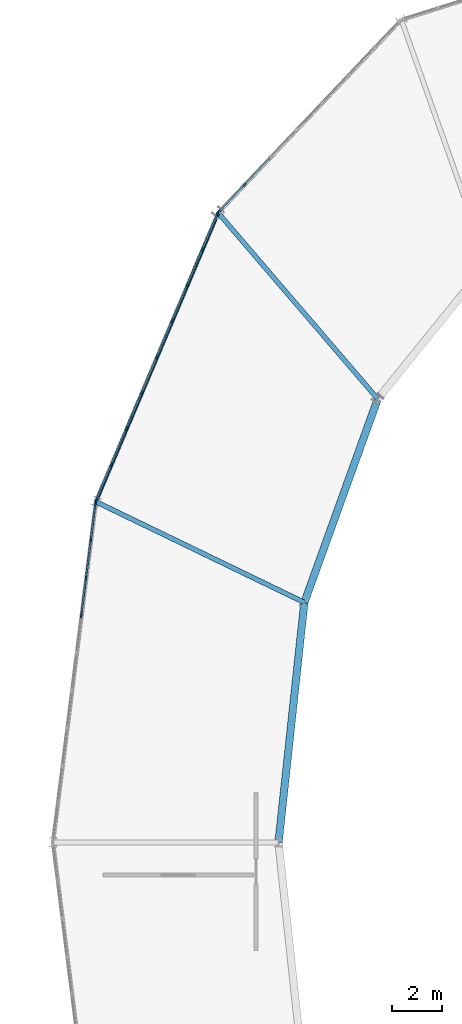
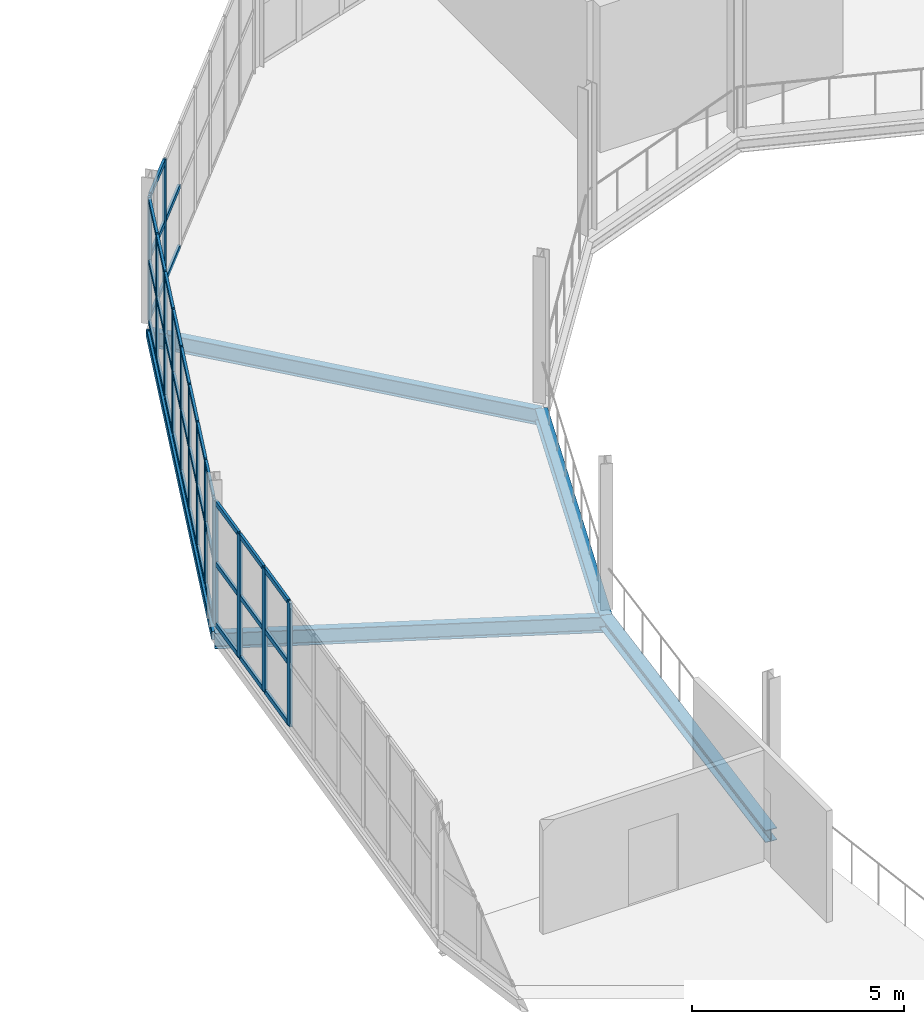
# One storey, part 88 of 161: 53 members, 5 beams, 3 elements without a shape of their own.
"""IFC4 building model written with IfcOpenShell, lengths in metres."""

from ifc_helpers import new_model, si_unit, direction, frame, origin, origin_2d, place, context, subcontext, project, spatial, rectangle, hollow_rectangle, i_section, extrude, material, material_profile, profile_set, type_object, element, aggregate, save


model = new_model("IFC4")

# Units and contexts
model_context = context("Model", 3, precision=1e-05, world=origin(), true_north=direction((0.0, 1.0)))
body_context = subcontext(model_context, "Body", "Model", "MODEL_VIEW")
ifc_project = project(units=[si_unit("LENGTHUNIT", "METRE"), si_unit("AREAUNIT", "SQUARE_METRE"), si_unit("VOLUMEUNIT", "CUBIC_METRE"), si_unit("PLANEANGLEUNIT", "RADIAN"), si_unit("MASSUNIT", "GRAM", prefix="KILO")], contexts=[model_context])

# Site, building, storey
site_placement = place(None, origin())
site = spatial("IfcSite", under=ifc_project, at=site_placement, CompositionType="ELEMENT")
building_placement = place(site_placement, origin())
building = spatial("IfcBuilding", under=site, at=building_placement, Name="Kildeholm Park Wholesale Market", CompositionType="ELEMENT")
storey_placement = place(building_placement, frame((0.0, 0.0, 5.39990234375)))
storey = spatial("IfcBuildingStorey", under=building, at=storey_placement, Name="L01", CompositionType="ELEMENT", Elevation=5.39990234375)

# Beams
ifc_material_1 = material(Name="Steel S355", Category="steel")
ifc_material_profile_1 = material_profile(ifc_material_1, i_section(OverallWidth=0.18994140625, OverallDepth=0.449951171875, WebThickness=0.009521484375, FlangeThickness=0.0146484375, FilletRadius=0.02099609375, at=origin_2d()), Name="IPE 450")
ifc_profile_set_1 = profile_set([ifc_material_profile_1], Name="Steel S355")
beam_type_1 = type_object("IfcBeamType", Name="Beam B-P02 IPE 450", PredefinedType="BEAM", material=ifc_profile_set_1)
beam_1_placement = place(storey_placement, frame((178.4541015625, 112.177978515625, -0.48486328125), z_axis=(-0.650822214859, 0.75923016579, 0.0), x_axis=(-0.75923016579, -0.650822214859, 0.0)))
element("IfcBeam", 1, at=beam_1_placement, inside=storey, type_object=beam_type_1, Name="Beam BM-V2-L01-R-06 BM-0403", PredefinedType="BEAM", context=body_context, shape_type="SweptSolid", body=[
    extrude(i_section(OverallWidth=0.18994140625, OverallDepth=0.449951171875, WebThickness=0.009521484375, FlangeThickness=0.0146484375, FilletRadius=0.02099609375, at=origin_2d()), origin(), (0.0, 0.0, 1.0), 9.7783203125),
])
beam_2_placement = place(storey_placement, frame((175.528076171875, 104.06689453125, -0.48486328125), z_axis=(-0.900388826514, 0.435086153639, 0.0), x_axis=(-0.435086153639, -0.900388826514, 0.0)))
element("IfcBeam", 2, at=beam_2_placement, inside=storey, type_object=beam_type_1, Name="Beam BM-V2-L01-R-07 BM-0410", PredefinedType="BEAM", context=body_context, shape_type="SweptSolid", body=[
    extrude(i_section(OverallWidth=0.18994140625, OverallDepth=0.449951171875, WebThickness=0.009521484375, FlangeThickness=0.0146484375, FilletRadius=0.02099609375, at=origin_2d()), origin(), (0.0, 0.0, 1.0), 9.235107421875),
])
ifc_material_profile_2 = material_profile(ifc_material_1, i_section(OverallWidth=0.300048828125, OverallDepth=0.35009765625, WebThickness=0.010009765625, FlangeThickness=0.017578125, FilletRadius=0.027099609375, at=origin_2d()), Name="HEA 360")
ifc_profile_set_2 = profile_set([ifc_material_profile_2], Name="Steel S355")
beam_type_2 = type_object("IfcBeamType", Name="Beam B-R01 HEA 360", PredefinedType="BEAM", material=ifc_profile_set_2)
beam_3_placement = place(storey_placement, frame((178.4541015625, 112.177978515625, -0.434814453125), z_axis=(-0.339339006409, -0.940664147679, 0.0), x_axis=(0.940664147679, -0.339339006409, 0.0)))
element("IfcBeam", 3, at=beam_3_placement, inside=storey, type_object=beam_type_2, Name="Beam BM-V2-L01-CI-06 BM-0405", PredefinedType="BEAM", context=body_context, shape_type="SweptSolid", body=[
    extrude(i_section(OverallWidth=0.300048828125, OverallDepth=0.35009765625, WebThickness=0.010009765625, FlangeThickness=0.017578125, FilletRadius=0.027099609375, at=origin_2d()), origin(), (0.0, 0.0, 1.0), 8.622802734375),
])
beam_4_placement = place(storey_placement, frame((175.528076171875, 104.06689453125, -0.434814453125), z_axis=(-0.106846684142, -0.99427550814, 0.0), x_axis=(0.99427550814, -0.106846684142, 0.0)))
element("IfcBeam", 4, at=beam_4_placement, inside=storey, type_object=beam_type_2, Name="Beam BM-V2-L01-CI-07 BM-0412", PredefinedType="BEAM", context=body_context, shape_type="SweptSolid", body=[
    extrude(i_section(OverallWidth=0.300048828125, OverallDepth=0.35009765625, WebThickness=0.010009765625, FlangeThickness=0.017578125, FilletRadius=0.027099609375, at=origin_2d()), origin(), (0.0, 0.0, 1.0), 9.6220703125),
])
ifc_material_profile_3 = material_profile(ifc_material_1, hollow_rectangle(XDim=0.14990234375, YDim=0.25, WallThickness=0.010009765625, InnerFilletRadius=0.010009765625, OuterFilletRadius=0.02001953125, at=origin_2d()), Name="RHS 250x150x10")
ifc_profile_set_3 = profile_set([ifc_material_profile_3], Name="Steel S355")
beam_type_3 = type_object("IfcBeamType", Name="Beam SP-02 RHS 250x150x10", PredefinedType="SPANDREL", material=ifc_profile_set_3)
beam_5_placement = place(storey_placement, frame((172.090087890625, 119.60205078125, -0.385009765625), z_axis=(-0.389950720924, -0.920835726528, 0.0), x_axis=(0.920835726528, -0.389950720924, 0.0)))
element("IfcBeam", 5, at=beam_5_placement, inside=storey, type_object=beam_type_3, Name="Beam BM-V2-L01-CO-06 BM-0406", PredefinedType="SPANDREL", context=body_context, shape_type="SweptSolid", body=[
    extrude(hollow_rectangle(XDim=0.14990234375, YDim=0.25, WallThickness=0.010009765625, InnerFilletRadius=0.010009765625, OuterFilletRadius=0.02001953125, at=origin_2d()), origin(), (0.0, 0.0, 1.0), 12.50732421875),
])

# Curtain wall, members
ifc_material_2 = material(Name="Anodised aluminium and low-E double-glazed glass", Category="aluminium")
curtain_wall_type = type_object("IfcCurtainWallType", Name="Market hall glazed arcade stick curtain wall CW-01", PredefinedType="NOTDEFINED", material=ifc_material_2)
curtain_wall_1_placement = place(storey_placement, origin())
curtain_wall_1 = element("IfcCurtainWall", 6, at=curtain_wall_1_placement, inside=storey, type_object=curtain_wall_type, Name="Curtain wall CW-V2-L01-05 CW-0124", PredefinedType="NOTDEFINED")
ifc_material_3 = material(Name="Anodised aluminium", Category="aluminium")
ifc_material_profile_4 = material_profile(ifc_material_3, rectangle(XDim=0.06494140625, YDim=0.179931640625, at=origin_2d()), Name="CWM 65x180")
ifc_profile_set_4 = profile_set([ifc_material_profile_4], Name="Anodised aluminium")
member_type_1 = type_object("IfcMemberType", Name="Curtain-wall mullion CWM-1 CWM 65x180", PredefinedType="MULLION", material=ifc_profile_set_4)
member_1_placement = place(storey_placement, frame((173.14892578125, 120.730224609375, 0.0), z_axis=(0.0, 0.0, 1.0), x_axis=(0.725570701078, -0.688147627866, 0.0)))
member_1 = element("IfcMember", 7, at=member_1_placement, type_object=member_type_1, Name="CW-01 mullion 7 MEM-3803", PredefinedType="MULLION", context=body_context, shape_type="SweptSolid", body=[
    extrude(rectangle(XDim=0.06494140625, YDim=0.179931640625, at=origin_2d()), origin(), (0.0, 0.0, 1.0), 3.550048828125),
])
member_2_placement = place(storey_placement, frame((172.136474609375, 119.66259765625, 0.0), z_axis=(0.0, 0.0, 1.0), x_axis=(0.725570701078, -0.688147627866, 0.0)))
member_2 = element("IfcMember", 8, at=member_2_placement, type_object=member_type_1, Name="CW-01 mullion 8 MEM-3804", PredefinedType="MULLION", context=body_context, shape_type="SweptSolid", body=[
    extrude(rectangle(XDim=0.06494140625, YDim=0.179931640625, at=origin_2d()), origin(), (0.0, 0.0, 1.0), 3.550048828125),
])

curtain_wall_2_placement = place(storey_placement, origin())
curtain_wall_2 = element("IfcCurtainWall", 9, at=curtain_wall_2_placement, inside=storey, type_object=curtain_wall_type, Name="Curtain wall CW-V2-L01-06 CW-0125", PredefinedType="NOTDEFINED")
member_3_placement = place(storey_placement, frame((172.057373046875, 119.541015625, 0.0), z_axis=(0.0, 0.0, 1.0), x_axis=(0.920855054668, -0.389905076002, 0.0)))
member_3 = element("IfcMember", 10, at=member_3_placement, type_object=member_type_1, Name="CW-01 mullion 1 MEM-3826", PredefinedType="MULLION", context=body_context, shape_type="SweptSolid", body=[
    extrude(rectangle(XDim=0.06494140625, YDim=0.179931640625, at=origin_2d()), origin(), (0.0, 0.0, 1.0), 3.550048828125),
])
member_4_placement = place(storey_placement, frame((171.46435546875, 118.140380859375, 0.0), z_axis=(0.0, 0.0, 1.0), x_axis=(0.920855054668, -0.389905076002, 0.0)))
member_4 = element("IfcMember", 11, at=member_4_placement, type_object=member_type_1, Name="CW-01 mullion 2 MEM-3827", PredefinedType="MULLION", context=body_context, shape_type="SweptSolid", body=[
    extrude(rectangle(XDim=0.06494140625, YDim=0.179931640625, at=origin_2d()), origin(), (0.0, 0.0, 1.0), 3.550048828125),
])
member_5_placement = place(storey_placement, frame((170.8583984375, 116.709716796875, 0.0), z_axis=(0.0, 0.0, 1.0), x_axis=(0.920855054668, -0.389905076002, 0.0)))
member_5 = element("IfcMember", 12, at=member_5_placement, type_object=member_type_1, Name="CW-01 mullion 3 MEM-3828", PredefinedType="MULLION", context=body_context, shape_type="SweptSolid", body=[
    extrude(rectangle(XDim=0.06494140625, YDim=0.179931640625, at=origin_2d()), origin(), (0.0, 0.0, 1.0), 3.550048828125),
])
member_6_placement = place(storey_placement, frame((170.252685546875, 115.279052734375, 0.0), z_axis=(0.0, 0.0, 1.0), x_axis=(0.920855054668, -0.389905076002, 0.0)))
member_6 = element("IfcMember", 13, at=member_6_placement, type_object=member_type_1, Name="CW-01 mullion 4 MEM-3829", PredefinedType="MULLION", context=body_context, shape_type="SweptSolid", body=[
    extrude(rectangle(XDim=0.06494140625, YDim=0.179931640625, at=origin_2d()), origin(), (0.0, 0.0, 1.0), 3.550048828125),
])
member_7_placement = place(storey_placement, frame((169.64697265625, 113.848388671875, 0.0), z_axis=(0.0, 0.0, 1.0), x_axis=(0.920855054668, -0.389905076002, 0.0)))
member_7 = element("IfcMember", 14, at=member_7_placement, type_object=member_type_1, Name="CW-01 mullion 5 MEM-3830", PredefinedType="MULLION", context=body_context, shape_type="SweptSolid", body=[
    extrude(rectangle(XDim=0.06494140625, YDim=0.179931640625, at=origin_2d()), origin(), (0.0, 0.0, 1.0), 3.550048828125),
])
member_8_placement = place(storey_placement, frame((169.041259765625, 112.41796875, 0.0), z_axis=(0.0, 0.0, 1.0), x_axis=(0.920855054668, -0.389905076002, 0.0)))
member_8 = element("IfcMember", 15, at=member_8_placement, type_object=member_type_1, Name="CW-01 mullion 6 MEM-3831", PredefinedType="MULLION", context=body_context, shape_type="SweptSolid", body=[
    extrude(rectangle(XDim=0.06494140625, YDim=0.179931640625, at=origin_2d()), origin(), (0.0, 0.0, 1.0), 3.550048828125),
])
member_9_placement = place(storey_placement, frame((168.435546875, 110.9873046875, 0.0), z_axis=(0.0, 0.0, 1.0), x_axis=(0.920855054668, -0.389905076002, 0.0)))
member_9 = element("IfcMember", 16, at=member_9_placement, type_object=member_type_1, Name="CW-01 mullion 7 MEM-3832", PredefinedType="MULLION", context=body_context, shape_type="SweptSolid", body=[
    extrude(rectangle(XDim=0.06494140625, YDim=0.179931640625, at=origin_2d()), origin(), (0.0, 0.0, 1.0), 3.550048828125),
])
member_10_placement = place(storey_placement, frame((167.829833984375, 109.556640625, 0.0), z_axis=(0.0, 0.0, 1.0), x_axis=(0.920855054668, -0.389905076002, 0.0)))
member_10 = element("IfcMember", 17, at=member_10_placement, type_object=member_type_1, Name="CW-01 mullion 8 MEM-3833", PredefinedType="MULLION", context=body_context, shape_type="SweptSolid", body=[
    extrude(rectangle(XDim=0.06494140625, YDim=0.179931640625, at=origin_2d()), origin(), (0.0, 0.0, 1.0), 3.550048828125),
])
member_11_placement = place(storey_placement, frame((167.236572265625, 108.156005859375, 0.0), z_axis=(0.0, 0.0, 1.0), x_axis=(0.920855054668, -0.389905076002, 0.0)))
member_11 = element("IfcMember", 18, at=member_11_placement, type_object=member_type_1, Name="CW-01 mullion 9 MEM-3834", PredefinedType="MULLION", context=body_context, shape_type="SweptSolid", body=[
    extrude(rectangle(XDim=0.06494140625, YDim=0.179931640625, at=origin_2d()), origin(), (0.0, 0.0, 1.0), 3.550048828125),
])

curtain_wall_3_placement = place(storey_placement, origin())
curtain_wall_3 = element("IfcCurtainWall", 19, at=curtain_wall_3_placement, inside=storey, type_object=curtain_wall_type, Name="Curtain wall CW-V2-L01-07 CW-0126", PredefinedType="NOTDEFINED")
member_12_placement = place(storey_placement, frame((167.198974609375, 108.015869140625, 0.0), z_axis=(0.0, 0.0, 1.0), x_axis=(0.992145095497, -0.12509240377, 0.0)))
member_12 = element("IfcMember", 20, at=member_12_placement, type_object=member_type_1, Name="CW-01 mullion 1 MEM-3859", PredefinedType="MULLION", context=body_context, shape_type="SweptSolid", body=[
    extrude(rectangle(XDim=0.06494140625, YDim=0.179931640625, at=origin_2d()), origin(), (0.0, 0.0, 1.0), 3.550048828125),
])
member_13_placement = place(storey_placement, frame((167.013671875, 106.547119140625, 0.0), z_axis=(0.0, 0.0, 1.0), x_axis=(0.992145095497, -0.12509240377, 0.0)))
member_13 = element("IfcMember", 21, at=member_13_placement, type_object=member_type_1, Name="CW-01 mullion 2 MEM-3860", PredefinedType="MULLION", context=body_context, shape_type="SweptSolid", body=[
    extrude(rectangle(XDim=0.06494140625, YDim=0.179931640625, at=origin_2d()), origin(), (0.0, 0.0, 1.0), 3.550048828125),
])
member_14_placement = place(storey_placement, frame((166.824462890625, 105.04638671875, 0.0), z_axis=(0.0, 0.0, 1.0), x_axis=(0.992145095497, -0.12509240377, 0.0)))
member_14 = element("IfcMember", 22, at=member_14_placement, type_object=member_type_1, Name="CW-01 mullion 3 MEM-3861", PredefinedType="MULLION", context=body_context, shape_type="SweptSolid", body=[
    extrude(rectangle(XDim=0.06494140625, YDim=0.179931640625, at=origin_2d()), origin(), (0.0, 0.0, 1.0), 3.550048828125),
])
member_15_placement = place(storey_placement, frame((166.63525390625, 103.545654296875, 0.0), z_axis=(0.0, 0.0, 1.0), x_axis=(0.992145095497, -0.12509240377, 0.0)))
member_15 = element("IfcMember", 23, at=member_15_placement, type_object=member_type_1, Name="CW-01 mullion 4 MEM-3862", PredefinedType="MULLION", context=body_context, shape_type="SweptSolid", body=[
    extrude(rectangle(XDim=0.06494140625, YDim=0.179931640625, at=origin_2d()), origin(), (0.0, 0.0, 1.0), 3.550048828125),
])

# Member
ifc_material_profile_5 = material_profile(ifc_material_3, rectangle(XDim=0.06494140625, YDim=0.139892578125, at=origin_2d()), Name="CWT 65x140")
ifc_profile_set_5 = profile_set([ifc_material_profile_5], Name="Anodised aluminium")
member_type_2 = type_object("IfcMemberType", Name="Curtain-wall transom CWT-1 CWT 65x140", PredefinedType="USERDEFINED", material=ifc_profile_set_5)
member_16_placement = place(storey_placement, frame((174.16162109375, 121.798095703125, 0.03271484375), z_axis=(-0.688111604376, -0.72560486487, 0.0), x_axis=(0.72560486487, -0.688111604376, 0.0)))
member_16 = element("IfcMember", 24, at=member_16_placement, type_object=member_type_2, Name="CW-01 transom 6.1 MEM-3820", ObjectType="TRANSOM", PredefinedType="USERDEFINED", context=body_context, shape_type="SweptSolid", body=[
    extrude(rectangle(XDim=0.06494140625, YDim=0.139892578125, at=origin_2d()), origin(), (0.0, 0.0, 1.0), 1.43896484375),
])

member_17_placement = place(storey_placement, frame((174.16162109375, 121.798095703125, 1.775146484375), z_axis=(-0.688111604376, -0.72560486487, 0.0), x_axis=(0.72560486487, -0.688111604376, 0.0)))
member_17 = element("IfcMember", 25, at=member_17_placement, type_object=member_type_2, Name="CW-01 transom 6.2 MEM-3821", ObjectType="TRANSOM", PredefinedType="USERDEFINED", context=body_context, shape_type="SweptSolid", body=[
    extrude(rectangle(XDim=0.06494140625, YDim=0.139892578125, at=origin_2d()), origin(), (0.0, 0.0, 1.0), 1.43896484375),
])

member_18_placement = place(storey_placement, frame((173.126708984375, 120.706787109375, 0.03271484375), z_axis=(-0.688201872594, -0.725519250301, 0.0), x_axis=(0.725519250301, -0.688201872594, 0.0)))
member_18 = element("IfcMember", 26, at=member_18_placement, type_object=member_type_2, Name="CW-01 transom 7.1 MEM-3823", ObjectType="TRANSOM", PredefinedType="USERDEFINED", context=body_context, shape_type="SweptSolid", body=[
    extrude(rectangle(XDim=0.06494140625, YDim=0.139892578125, at=origin_2d()), origin(), (0.0, 0.0, 1.0), 1.406494140625),
])

member_19_placement = place(storey_placement, frame((173.126708984375, 120.706787109375, 1.775146484375), z_axis=(-0.688201872594, -0.725519250301, 0.0), x_axis=(0.725519250301, -0.688201872594, 0.0)))
member_19 = element("IfcMember", 27, at=member_19_placement, type_object=member_type_2, Name="CW-01 transom 7.2 MEM-3824", ObjectType="TRANSOM", PredefinedType="USERDEFINED", context=body_context, shape_type="SweptSolid", body=[
    extrude(rectangle(XDim=0.06494140625, YDim=0.139892578125, at=origin_2d()), origin(), (0.0, 0.0, 1.0), 1.406494140625),
])

member_20_placement = place(storey_placement, frame((173.126708984375, 120.706787109375, 3.517578125), z_axis=(-0.688201872594, -0.725519250301, 0.0), x_axis=(0.725519250301, -0.688201872594, 0.0)))
member_20 = element("IfcMember", 28, at=member_20_placement, type_object=member_type_2, Name="CW-01 transom 7.3 MEM-3825", ObjectType="TRANSOM", PredefinedType="USERDEFINED", context=body_context, shape_type="SweptSolid", body=[
    extrude(rectangle(XDim=0.06494140625, YDim=0.139892578125, at=origin_2d()), origin(), (0.0, 0.0, 1.0), 1.406494140625),
])

aggregate(curtain_wall_1, [member_1, member_2, member_16, member_17, member_18, member_19, member_20])

member_21_placement = place(storey_placement, frame((172.044677734375, 119.51123046875, 0.03271484375), z_axis=(-0.389990019704, -0.920819083497, 0.0), x_axis=(0.920819083497, -0.389990019704, 0.0)))
member_21 = element("IfcMember", 29, at=member_21_placement, type_object=member_type_2, Name="CW-01 transom 1.1 MEM-3835", ObjectType="TRANSOM", PredefinedType="USERDEFINED", context=body_context, shape_type="SweptSolid", body=[
    extrude(rectangle(XDim=0.06494140625, YDim=0.139892578125, at=origin_2d()), origin(), (0.0, 0.0, 1.0), 1.4560546875),
])

member_22_placement = place(storey_placement, frame((172.044677734375, 119.51123046875, 1.775146484375), z_axis=(-0.389990019704, -0.920819083497, 0.0), x_axis=(0.920819083497, -0.389990019704, 0.0)))
member_22 = element("IfcMember", 30, at=member_22_placement, type_object=member_type_2, Name="CW-01 transom 1.2 MEM-3836", ObjectType="TRANSOM", PredefinedType="USERDEFINED", context=body_context, shape_type="SweptSolid", body=[
    extrude(rectangle(XDim=0.06494140625, YDim=0.139892578125, at=origin_2d()), origin(), (0.0, 0.0, 1.0), 1.4560546875),
])

member_23_placement = place(storey_placement, frame((172.044677734375, 119.51123046875, 3.517578125), z_axis=(-0.389990019704, -0.920819083497, 0.0), x_axis=(0.920819083497, -0.389990019704, 0.0)))
member_23 = element("IfcMember", 31, at=member_23_placement, type_object=member_type_2, Name="CW-01 transom 1.3 MEM-3837", ObjectType="TRANSOM", PredefinedType="USERDEFINED", context=body_context, shape_type="SweptSolid", body=[
    extrude(rectangle(XDim=0.06494140625, YDim=0.139892578125, at=origin_2d()), origin(), (0.0, 0.0, 1.0), 1.4560546875),
])

member_24_placement = place(storey_placement, frame((171.45166015625, 118.1103515625, 0.03271484375), z_axis=(-0.390035904039, -0.920799648979, 0.0), x_axis=(0.920799648979, -0.390035904039, 0.0)))
member_24 = element("IfcMember", 32, at=member_24_placement, type_object=member_type_2, Name="CW-01 transom 2.1 MEM-3838", ObjectType="TRANSOM", PredefinedType="USERDEFINED", context=body_context, shape_type="SweptSolid", body=[
    extrude(rectangle(XDim=0.06494140625, YDim=0.139892578125, at=origin_2d()), origin(), (0.0, 0.0, 1.0), 1.488525390625),
])

member_25_placement = place(storey_placement, frame((171.45166015625, 118.1103515625, 1.775146484375), z_axis=(-0.390035904039, -0.920799648979, 0.0), x_axis=(0.920799648979, -0.390035904039, 0.0)))
member_25 = element("IfcMember", 33, at=member_25_placement, type_object=member_type_2, Name="CW-01 transom 2.2 MEM-3839", ObjectType="TRANSOM", PredefinedType="USERDEFINED", context=body_context, shape_type="SweptSolid", body=[
    extrude(rectangle(XDim=0.06494140625, YDim=0.139892578125, at=origin_2d()), origin(), (0.0, 0.0, 1.0), 1.488525390625),
])

member_26_placement = place(storey_placement, frame((171.45166015625, 118.1103515625, 3.517578125), z_axis=(-0.390035904039, -0.920799648979, 0.0), x_axis=(0.920799648979, -0.390035904039, 0.0)))
member_26 = element("IfcMember", 34, at=member_26_placement, type_object=member_type_2, Name="CW-01 transom 2.3 MEM-3840", ObjectType="TRANSOM", PredefinedType="USERDEFINED", context=body_context, shape_type="SweptSolid", body=[
    extrude(rectangle(XDim=0.06494140625, YDim=0.139892578125, at=origin_2d()), origin(), (0.0, 0.0, 1.0), 1.488525390625),
])

member_27_placement = place(storey_placement, frame((170.845947265625, 116.679931640625, 0.03271484375), z_axis=(-0.389977005738, -0.92082459513, 0.0), x_axis=(0.92082459513, -0.389977005738, 0.0)))
member_27 = element("IfcMember", 35, at=member_27_placement, type_object=member_type_2, Name="CW-01 transom 3.1 MEM-3841", ObjectType="TRANSOM", PredefinedType="USERDEFINED", context=body_context, shape_type="SweptSolid", body=[
    extrude(rectangle(XDim=0.06494140625, YDim=0.139892578125, at=origin_2d()), origin(), (0.0, 0.0, 1.0), 1.48876953125),
])

member_28_placement = place(storey_placement, frame((170.845947265625, 116.679931640625, 1.775146484375), z_axis=(-0.389977005738, -0.92082459513, 0.0), x_axis=(0.92082459513, -0.389977005738, 0.0)))
member_28 = element("IfcMember", 36, at=member_28_placement, type_object=member_type_2, Name="CW-01 transom 3.2 MEM-3842", ObjectType="TRANSOM", PredefinedType="USERDEFINED", context=body_context, shape_type="SweptSolid", body=[
    extrude(rectangle(XDim=0.06494140625, YDim=0.139892578125, at=origin_2d()), origin(), (0.0, 0.0, 1.0), 1.48876953125),
])

member_29_placement = place(storey_placement, frame((170.845947265625, 116.679931640625, 3.517578125), z_axis=(-0.389977005738, -0.92082459513, 0.0), x_axis=(0.92082459513, -0.389977005738, 0.0)))
member_29 = element("IfcMember", 37, at=member_29_placement, type_object=member_type_2, Name="CW-01 transom 3.3 MEM-3843", ObjectType="TRANSOM", PredefinedType="USERDEFINED", context=body_context, shape_type="SweptSolid", body=[
    extrude(rectangle(XDim=0.06494140625, YDim=0.139892578125, at=origin_2d()), origin(), (0.0, 0.0, 1.0), 1.48876953125),
])

member_30_placement = place(storey_placement, frame((170.239990234375, 115.249267578125, 0.03271484375), z_axis=(-0.389837939204, -0.920883478599, 0.0), x_axis=(0.920883478599, -0.389837939204, 0.0)))
member_30 = element("IfcMember", 38, at=member_30_placement, type_object=member_type_2, Name="CW-01 transom 4.1 MEM-3844", ObjectType="TRANSOM", PredefinedType="USERDEFINED", context=body_context, shape_type="SweptSolid", body=[
    extrude(rectangle(XDim=0.06494140625, YDim=0.139892578125, at=origin_2d()), origin(), (0.0, 0.0, 1.0), 1.488525390625),
])

member_31_placement = place(storey_placement, frame((170.239990234375, 115.249267578125, 1.775146484375), z_axis=(-0.389837939204, -0.920883478599, 0.0), x_axis=(0.920883478599, -0.389837939204, 0.0)))
member_31 = element("IfcMember", 39, at=member_31_placement, type_object=member_type_2, Name="CW-01 transom 4.2 MEM-3845", ObjectType="TRANSOM", PredefinedType="USERDEFINED", context=body_context, shape_type="SweptSolid", body=[
    extrude(rectangle(XDim=0.06494140625, YDim=0.139892578125, at=origin_2d()), origin(), (0.0, 0.0, 1.0), 1.488525390625),
])

member_32_placement = place(storey_placement, frame((170.239990234375, 115.249267578125, 3.517578125), z_axis=(-0.389837939204, -0.920883478599, 0.0), x_axis=(0.920883478599, -0.389837939204, 0.0)))
member_32 = element("IfcMember", 40, at=member_32_placement, type_object=member_type_2, Name="CW-01 transom 4.3 MEM-3846", ObjectType="TRANSOM", PredefinedType="USERDEFINED", context=body_context, shape_type="SweptSolid", body=[
    extrude(rectangle(XDim=0.06494140625, YDim=0.139892578125, at=origin_2d()), origin(), (0.0, 0.0, 1.0), 1.488525390625),
])

member_33_placement = place(storey_placement, frame((169.63427734375, 113.818603515625, 0.03271484375), z_axis=(-0.389837939204, -0.920883478599, 0.0), x_axis=(0.920883478599, -0.389837939204, 0.0)))
member_33 = element("IfcMember", 41, at=member_33_placement, type_object=member_type_2, Name="CW-01 transom 5.1 MEM-3847", ObjectType="TRANSOM", PredefinedType="USERDEFINED", context=body_context, shape_type="SweptSolid", body=[
    extrude(rectangle(XDim=0.06494140625, YDim=0.139892578125, at=origin_2d()), origin(), (0.0, 0.0, 1.0), 1.488525390625),
])

member_34_placement = place(storey_placement, frame((169.63427734375, 113.818603515625, 1.775146484375), z_axis=(-0.389837939204, -0.920883478599, 0.0), x_axis=(0.920883478599, -0.389837939204, 0.0)))
member_34 = element("IfcMember", 42, at=member_34_placement, type_object=member_type_2, Name="CW-01 transom 5.2 MEM-3848", ObjectType="TRANSOM", PredefinedType="USERDEFINED", context=body_context, shape_type="SweptSolid", body=[
    extrude(rectangle(XDim=0.06494140625, YDim=0.139892578125, at=origin_2d()), origin(), (0.0, 0.0, 1.0), 1.488525390625),
])

member_35_placement = place(storey_placement, frame((169.63427734375, 113.818603515625, 3.517578125), z_axis=(-0.389837939204, -0.920883478599, 0.0), x_axis=(0.920883478599, -0.389837939204, 0.0)))
member_35 = element("IfcMember", 43, at=member_35_placement, type_object=member_type_2, Name="CW-01 transom 5.3 MEM-3849", ObjectType="TRANSOM", PredefinedType="USERDEFINED", context=body_context, shape_type="SweptSolid", body=[
    extrude(rectangle(XDim=0.06494140625, YDim=0.139892578125, at=origin_2d()), origin(), (0.0, 0.0, 1.0), 1.488525390625),
])

member_36_placement = place(storey_placement, frame((169.028564453125, 112.387939453125, 0.03271484375), z_axis=(-0.389837939204, -0.920883478599, 0.0), x_axis=(0.920883478599, -0.389837939204, 0.0)))
member_36 = element("IfcMember", 44, at=member_36_placement, type_object=member_type_2, Name="CW-01 transom 6.1 MEM-3850", ObjectType="TRANSOM", PredefinedType="USERDEFINED", context=body_context, shape_type="SweptSolid", body=[
    extrude(rectangle(XDim=0.06494140625, YDim=0.139892578125, at=origin_2d()), origin(), (0.0, 0.0, 1.0), 1.488525390625),
])

member_37_placement = place(storey_placement, frame((169.028564453125, 112.387939453125, 1.775146484375), z_axis=(-0.389837939204, -0.920883478599, 0.0), x_axis=(0.920883478599, -0.389837939204, 0.0)))
member_37 = element("IfcMember", 45, at=member_37_placement, type_object=member_type_2, Name="CW-01 transom 6.2 MEM-3851", ObjectType="TRANSOM", PredefinedType="USERDEFINED", context=body_context, shape_type="SweptSolid", body=[
    extrude(rectangle(XDim=0.06494140625, YDim=0.139892578125, at=origin_2d()), origin(), (0.0, 0.0, 1.0), 1.488525390625),
])

member_38_placement = place(storey_placement, frame((169.028564453125, 112.387939453125, 3.517578125), z_axis=(-0.389837939204, -0.920883478599, 0.0), x_axis=(0.920883478599, -0.389837939204, 0.0)))
member_38 = element("IfcMember", 46, at=member_38_placement, type_object=member_type_2, Name="CW-01 transom 6.3 MEM-3852", ObjectType="TRANSOM", PredefinedType="USERDEFINED", context=body_context, shape_type="SweptSolid", body=[
    extrude(rectangle(XDim=0.06494140625, YDim=0.139892578125, at=origin_2d()), origin(), (0.0, 0.0, 1.0), 1.488525390625),
])

member_39_placement = place(storey_placement, frame((168.4228515625, 110.957275390625, 0.03271484375), z_axis=(-0.389896824033, -0.920858548643, 0.0), x_axis=(0.920858548643, -0.389896824033, 0.0)))
member_39 = element("IfcMember", 47, at=member_39_placement, type_object=member_type_2, Name="CW-01 transom 7.1 MEM-3853", ObjectType="TRANSOM", PredefinedType="USERDEFINED", context=body_context, shape_type="SweptSolid", body=[
    extrude(rectangle(XDim=0.06494140625, YDim=0.139892578125, at=origin_2d()), origin(), (0.0, 0.0, 1.0), 1.48828125),
])

member_40_placement = place(storey_placement, frame((168.4228515625, 110.957275390625, 1.775146484375), z_axis=(-0.389896824033, -0.920858548643, 0.0), x_axis=(0.920858548643, -0.389896824033, 0.0)))
member_40 = element("IfcMember", 48, at=member_40_placement, type_object=member_type_2, Name="CW-01 transom 7.2 MEM-3854", ObjectType="TRANSOM", PredefinedType="USERDEFINED", context=body_context, shape_type="SweptSolid", body=[
    extrude(rectangle(XDim=0.06494140625, YDim=0.139892578125, at=origin_2d()), origin(), (0.0, 0.0, 1.0), 1.48828125),
])

member_41_placement = place(storey_placement, frame((168.4228515625, 110.957275390625, 3.517578125), z_axis=(-0.389896824033, -0.920858548643, 0.0), x_axis=(0.920858548643, -0.389896824033, 0.0)))
member_41 = element("IfcMember", 49, at=member_41_placement, type_object=member_type_2, Name="CW-01 transom 7.3 MEM-3855", ObjectType="TRANSOM", PredefinedType="USERDEFINED", context=body_context, shape_type="SweptSolid", body=[
    extrude(rectangle(XDim=0.06494140625, YDim=0.139892578125, at=origin_2d()), origin(), (0.0, 0.0, 1.0), 1.48828125),
])

member_42_placement = place(storey_placement, frame((167.817138671875, 109.526611328125, 0.03271484375), z_axis=(-0.389990019704, -0.920819083497, 0.0), x_axis=(0.920819083497, -0.389990019704, 0.0)))
member_42 = element("IfcMember", 50, at=member_42_placement, type_object=member_type_2, Name="CW-01 transom 8.1 MEM-3856", ObjectType="TRANSOM", PredefinedType="USERDEFINED", context=body_context, shape_type="SweptSolid", body=[
    extrude(rectangle(XDim=0.06494140625, YDim=0.139892578125, at=origin_2d()), origin(), (0.0, 0.0, 1.0), 1.4560546875),
])

member_43_placement = place(storey_placement, frame((167.817138671875, 109.526611328125, 1.775146484375), z_axis=(-0.389990019704, -0.920819083497, 0.0), x_axis=(0.920819083497, -0.389990019704, 0.0)))
member_43 = element("IfcMember", 51, at=member_43_placement, type_object=member_type_2, Name="CW-01 transom 8.2 MEM-3857", ObjectType="TRANSOM", PredefinedType="USERDEFINED", context=body_context, shape_type="SweptSolid", body=[
    extrude(rectangle(XDim=0.06494140625, YDim=0.139892578125, at=origin_2d()), origin(), (0.0, 0.0, 1.0), 1.4560546875),
])

member_44_placement = place(storey_placement, frame((167.817138671875, 109.526611328125, 3.517578125), z_axis=(-0.389990019704, -0.920819083497, 0.0), x_axis=(0.920819083497, -0.389990019704, 0.0)))
member_44 = element("IfcMember", 52, at=member_44_placement, type_object=member_type_2, Name="CW-01 transom 8.3 MEM-3858", ObjectType="TRANSOM", PredefinedType="USERDEFINED", context=body_context, shape_type="SweptSolid", body=[
    extrude(rectangle(XDim=0.06494140625, YDim=0.139892578125, at=origin_2d()), origin(), (0.0, 0.0, 1.0), 1.4560546875),
])

aggregate(curtain_wall_2, [member_3, member_4, member_5, member_6, member_7, member_8, member_9, member_10, member_11, member_21, member_22, member_23, member_24, member_25, member_26, member_27, member_28, member_29, member_30, member_31, member_32, member_33, member_34, member_35, member_36, member_37, member_38, member_39, member_40, member_41, member_42, member_43, member_44])

member_45_placement = place(storey_placement, frame((167.19482421875, 107.9833984375, 0.03271484375), z_axis=(-0.125075078735, -0.992147279732, 0.0), x_axis=(0.992147279732, -0.125075078735, 0.0)))
member_45 = element("IfcMember", 53, at=member_45_placement, type_object=member_type_2, Name="CW-01 transom 1.1 MEM-3869", ObjectType="TRANSOM", PredefinedType="USERDEFINED", context=body_context, shape_type="SweptSolid", body=[
    extrude(rectangle(XDim=0.06494140625, YDim=0.139892578125, at=origin_2d()), origin(), (0.0, 0.0, 1.0), 1.415283203125),
])

member_46_placement = place(storey_placement, frame((167.19482421875, 107.9833984375, 1.775146484375), z_axis=(-0.125075078735, -0.992147279732, 0.0), x_axis=(0.992147279732, -0.125075078735, 0.0)))
member_46 = element("IfcMember", 54, at=member_46_placement, type_object=member_type_2, Name="CW-01 transom 1.2 MEM-3870", ObjectType="TRANSOM", PredefinedType="USERDEFINED", context=body_context, shape_type="SweptSolid", body=[
    extrude(rectangle(XDim=0.06494140625, YDim=0.139892578125, at=origin_2d()), origin(), (0.0, 0.0, 1.0), 1.415283203125),
])

member_47_placement = place(storey_placement, frame((167.19482421875, 107.9833984375, 3.517578125), z_axis=(-0.125075078735, -0.992147279732, 0.0), x_axis=(0.992147279732, -0.125075078735, 0.0)))
member_47 = element("IfcMember", 55, at=member_47_placement, type_object=member_type_2, Name="CW-01 transom 1.3 MEM-3871", ObjectType="TRANSOM", PredefinedType="USERDEFINED", context=body_context, shape_type="SweptSolid", body=[
    extrude(rectangle(XDim=0.06494140625, YDim=0.139892578125, at=origin_2d()), origin(), (0.0, 0.0, 1.0), 1.415283203125),
])

member_48_placement = place(storey_placement, frame((167.009765625, 106.514892578125, 0.03271484375), z_axis=(-0.125134744026, -0.992139756203, 0.0), x_axis=(0.992139756203, -0.125134744026, 0.0)))
member_48 = element("IfcMember", 56, at=member_48_placement, type_object=member_type_2, Name="CW-01 transom 2.1 MEM-3872", ObjectType="TRANSOM", PredefinedType="USERDEFINED", context=body_context, shape_type="SweptSolid", body=[
    extrude(rectangle(XDim=0.06494140625, YDim=0.139892578125, at=origin_2d()), origin(), (0.0, 0.0, 1.0), 1.44775390625),
])

member_49_placement = place(storey_placement, frame((167.009765625, 106.514892578125, 1.775146484375), z_axis=(-0.125134744026, -0.992139756203, 0.0), x_axis=(0.992139756203, -0.125134744026, 0.0)))
member_49 = element("IfcMember", 57, at=member_49_placement, type_object=member_type_2, Name="CW-01 transom 2.2 MEM-3873", ObjectType="TRANSOM", PredefinedType="USERDEFINED", context=body_context, shape_type="SweptSolid", body=[
    extrude(rectangle(XDim=0.06494140625, YDim=0.139892578125, at=origin_2d()), origin(), (0.0, 0.0, 1.0), 1.44775390625),
])

member_50_placement = place(storey_placement, frame((167.009765625, 106.514892578125, 3.517578125), z_axis=(-0.125134744026, -0.992139756203, 0.0), x_axis=(0.992139756203, -0.125134744026, 0.0)))
member_50 = element("IfcMember", 58, at=member_50_placement, type_object=member_type_2, Name="CW-01 transom 2.3 MEM-3874", ObjectType="TRANSOM", PredefinedType="USERDEFINED", context=body_context, shape_type="SweptSolid", body=[
    extrude(rectangle(XDim=0.06494140625, YDim=0.139892578125, at=origin_2d()), origin(), (0.0, 0.0, 1.0), 1.44775390625),
])

member_51_placement = place(storey_placement, frame((166.820556640625, 105.01416015625, 0.03271484375), z_axis=(-0.125134744026, -0.992139756203, 0.0), x_axis=(0.992139756203, -0.125134744026, 0.0)))
member_51 = element("IfcMember", 59, at=member_51_placement, type_object=member_type_2, Name="CW-01 transom 3.1 MEM-3875", ObjectType="TRANSOM", PredefinedType="USERDEFINED", context=body_context, shape_type="SweptSolid", body=[
    extrude(rectangle(XDim=0.06494140625, YDim=0.139892578125, at=origin_2d()), origin(), (0.0, 0.0, 1.0), 1.44775390625),
])

member_52_placement = place(storey_placement, frame((166.820556640625, 105.01416015625, 1.775146484375), z_axis=(-0.125134744026, -0.992139756203, 0.0), x_axis=(0.992139756203, -0.125134744026, 0.0)))
member_52 = element("IfcMember", 60, at=member_52_placement, type_object=member_type_2, Name="CW-01 transom 3.2 MEM-3876", ObjectType="TRANSOM", PredefinedType="USERDEFINED", context=body_context, shape_type="SweptSolid", body=[
    extrude(rectangle(XDim=0.06494140625, YDim=0.139892578125, at=origin_2d()), origin(), (0.0, 0.0, 1.0), 1.44775390625),
])

member_53_placement = place(storey_placement, frame((166.820556640625, 105.01416015625, 3.517578125), z_axis=(-0.125134744026, -0.992139756203, 0.0), x_axis=(0.992139756203, -0.125134744026, 0.0)))
member_53 = element("IfcMember", 61, at=member_53_placement, type_object=member_type_2, Name="CW-01 transom 3.3 MEM-3877", ObjectType="TRANSOM", PredefinedType="USERDEFINED", context=body_context, shape_type="SweptSolid", body=[
    extrude(rectangle(XDim=0.06494140625, YDim=0.139892578125, at=origin_2d()), origin(), (0.0, 0.0, 1.0), 1.44775390625),
])

aggregate(curtain_wall_3, [member_12, member_13, member_14, member_15, member_45, member_46, member_47, member_48, member_49, member_50, member_51, member_52, member_53])

save(model, "model.ifc")
